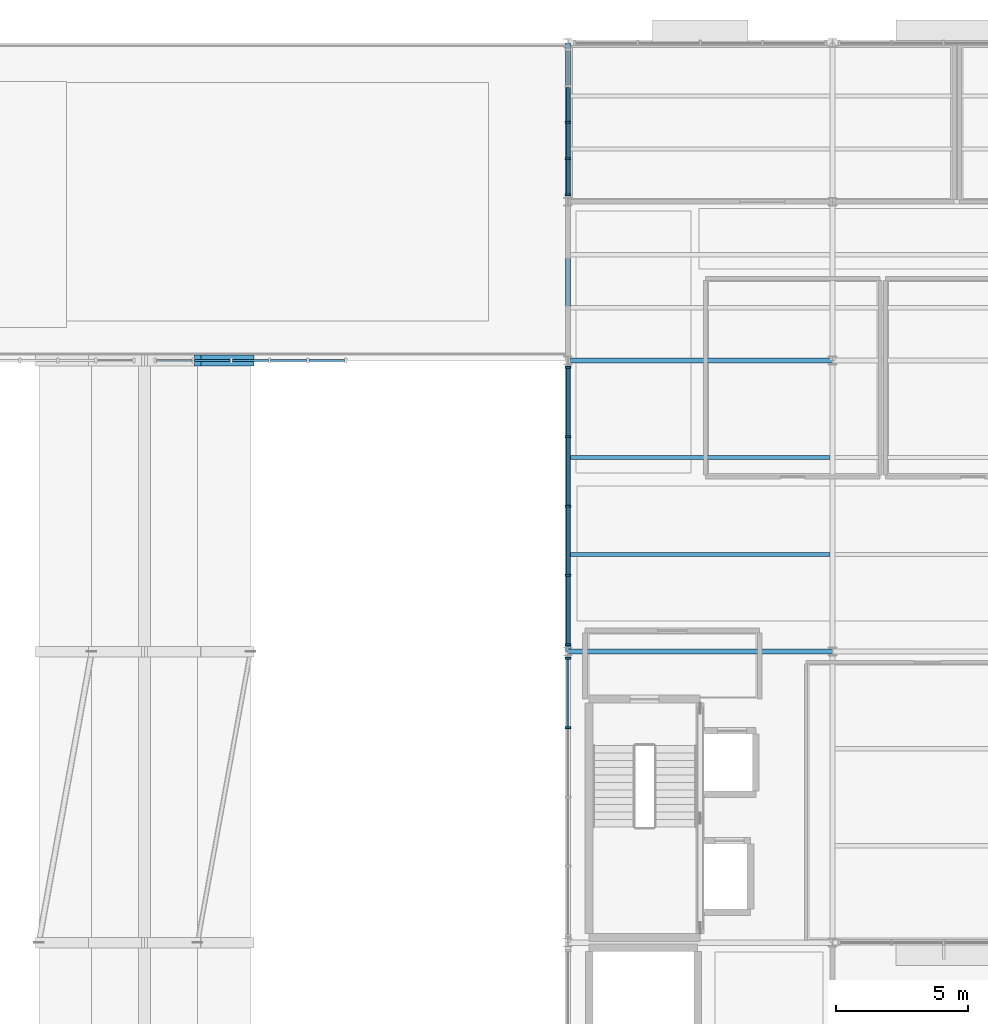
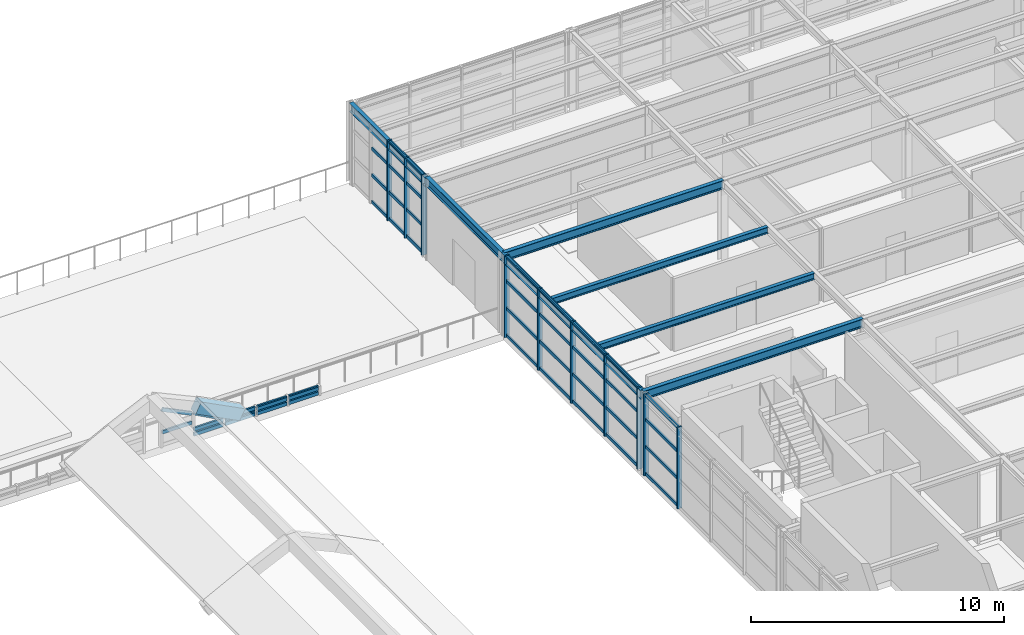
# One storey, part 22 of 49: 55 members, 8 beams, 4 elements without a shape of their own.
"""IFC4 building model written with IfcOpenShell, lengths in metres."""

import ifcopenshell
import ifcopenshell.guid

model = None  # the IFC model being written
_history = None  # IfcOwnerHistory: only IFC2X3 demands one
_inside = {}  # id of a spatial element -> (the spatial element, [elements in it])
_under = {}  # id of a project, library or spatial element -> (it, [spatial elements below it])
_declared = {}  # id of a project -> (the project, [libraries it declares])
_typed = {}  # id of a type object -> (the type object, [elements of that type])
_made_of = {}  # id of a material, layer set ... -> (it, [elements and type objects made of it])


def new_model(schema):
    """Start an empty IFC model of exactly this schema.

    Asked for "IFC4X3", IfcOpenShell would pick the latest addendum, in which some entities
    have other attributes; the version numbers below select the first issue.
    IFC2X3 requires an IfcOwnerHistory on every rooted entity: one is made here for all.
    """
    global model, _history
    if schema == "IFC4X3":
        model = ifcopenshell.file(schema_version=(4, 3, 0, 0))
    else:
        model = ifcopenshell.file(schema=schema)
    _inside.clear()
    _under.clear()
    _declared.clear()
    _typed.clear()
    _made_of.clear()
    _history = None
    if model.schema == "IFC2X3":
        org = make("IfcOrganization", Name="unknown")
        user = make(
            "IfcPersonAndOrganization",
            ThePerson=make("IfcPerson", FamilyName="unknown"),
            TheOrganization=org,
        )
        app = make(
            "IfcApplication",
            ApplicationDeveloper=org,
            Version="unknown",
            ApplicationFullName="unknown",
            ApplicationIdentifier="unknown",
        )
        _history = make(
            "IfcOwnerHistory",
            OwningUser=user,
            OwningApplication=app,
            ChangeAction="ADDED",
            CreationDate=0,
        )
    return model


def make(cls, **values):
    """One entity of the class cls with the attributes given. An attribute that is None is left unset."""
    return model.create_entity(
        cls, **{name: value for name, value in values.items() if value is not None}
    )


def rooted(cls, **values):
    """An entity with a GlobalId (a new one), such as an element, a storey or a relation."""
    return make(cls, GlobalId=ifcopenshell.guid.new(), OwnerHistory=_history, **values)


def si_unit(unit_type, name, prefix=None):
    """IfcSIUnit, for example si_unit("LENGTHUNIT", "METRE", prefix="MILLI")."""
    return make("IfcSIUnit", UnitType=unit_type, Prefix=prefix, Name=name)


def assignment(units):
    """IfcUnitAssignment: the units of a project."""
    return None if units is None else make("IfcUnitAssignment", Units=units)


def point(xyz):
    """IfcCartesianPoint."""
    return None if xyz is None else make("IfcCartesianPoint", Coordinates=xyz)


def direction(xyz):
    """IfcDirection."""
    return None if xyz is None else make("IfcDirection", DirectionRatios=xyz)


def frame(location, z_axis=None, x_axis=None):
    """IfcAxis2Placement3D, a coordinate frame: its origin and axes. An axis left out is left unset."""
    return make(
        "IfcAxis2Placement3D",
        Location=point(location),
        Axis=direction(z_axis),
        RefDirection=direction(x_axis),
    )


def frame_2d(location, x_axis=None):
    """IfcAxis2Placement2D, a coordinate frame in the plane: its origin and x axis."""
    return make(
        "IfcAxis2Placement2D", Location=point(location), RefDirection=direction(x_axis)
    )


def origin():
    """The frame at (0, 0, 0) with its axes left unset."""
    return frame((0.0, 0.0, 0.0))


def origin_2d():
    """The frame at (0, 0) in the plane with its x axis left unset."""
    return frame_2d((0.0, 0.0))


def place(relative_to, where):
    """IfcLocalPlacement: puts the frame where relative to a parent placement (None: the world)."""
    return make(
        "IfcLocalPlacement", PlacementRelTo=relative_to, RelativePlacement=where
    )


def context(
    kind, dimensions, precision=None, world=None, true_north=None, identifier=None
):
    """IfcGeometricRepresentationContext, for example the 3D "Model" context."""
    return make(
        "IfcGeometricRepresentationContext",
        ContextIdentifier=identifier,
        ContextType=kind,
        CoordinateSpaceDimension=dimensions,
        Precision=precision,
        WorldCoordinateSystem=world,
        TrueNorth=true_north,
    )


def subcontext(parent, identifier, kind, view, scale=None):
    """IfcGeometricRepresentationSubContext, for example "Body" below "Model"."""
    return make(
        "IfcGeometricRepresentationSubContext",
        ContextIdentifier=identifier,
        ContextType=kind,
        ParentContext=parent,
        TargetScale=scale,
        TargetView=view,
    )


def project(units=None, contexts=None):
    """IfcProject with its units and contexts."""
    return rooted(
        "IfcProject",
        Name="project",
        RepresentationContexts=contexts,
        UnitsInContext=assignment(units),
    )


def spatial(cls, under=None, at=None, **own):
    """A site, building, storey or space (cls), placed at a placement, below another one or the project."""
    s = rooted(cls, ObjectPlacement=at, **own)
    if under is not None:
        _under.setdefault(under.id(), (under, []))[1].append(s)
    return s


def profile(cls, at=None, kind="AREA", **sizes):
    """A parametric profile (cls). Its sizes go by their IFC names, for example OverallWidth=200.0."""
    return make(cls, ProfileType=kind, Position=at, **sizes)


def rectangle(**sizes):
    """IfcRectangleProfileDef."""
    return profile("IfcRectangleProfileDef", **sizes)


def i_section(**sizes):
    """IfcIShapeProfileDef."""
    return profile("IfcIShapeProfileDef", **sizes)


def extrude(swept, where, along, depth):
    """IfcExtrudedAreaSolid: the profile swept, set in the frame where, extruded along a direction by depth."""
    return make(
        "IfcExtrudedAreaSolid",
        SweptArea=swept,
        Position=where,
        ExtrudedDirection=direction(along),
        Depth=depth,
    )


def shape(context_of_items, identifier, shape_type, items):
    """IfcShapeRepresentation: the items that make up one representation, for example the "Body"."""
    return make(
        "IfcShapeRepresentation",
        ContextOfItems=context_of_items,
        RepresentationIdentifier=identifier,
        RepresentationType=shape_type,
        Items=items,
    )


def material(Name=None, Category=None):
    """IfcMaterial."""
    return make("IfcMaterial", Name=Name, Category=Category)


def layer(
    of_material, thickness, ventilated=None, Name=None, Category=None, Priority=None
):
    """IfcMaterialLayer: one layer of a wall or slab, of a material (None: an air gap)."""
    return make(
        "IfcMaterialLayer",
        Material=of_material,
        LayerThickness=thickness,
        IsVentilated=ventilated,
        Name=Name,
        Category=Category,
        Priority=Priority,
    )


def layer_set(layers, Name=None):
    """IfcMaterialLayerSet."""
    return make("IfcMaterialLayerSet", MaterialLayers=layers, LayerSetName=Name)


def material_profile(
    of_material, cross_section, Name=None, Category=None, Priority=None
):
    """IfcMaterialProfile: a cross section and its material."""
    return make(
        "IfcMaterialProfile",
        Name=Name,
        Material=of_material,
        Profile=cross_section,
        Priority=Priority,
        Category=Category,
    )


def profile_set(profiles, Name=None, composite=None):
    """IfcMaterialProfileSet."""
    return make(
        "IfcMaterialProfileSet",
        Name=Name,
        MaterialProfiles=profiles,
        CompositeProfile=composite,
    )


def made_of(thing, what):
    """Note that an element or type object is made of a material, layer set ...; save() writes the relation."""
    if what is not None:
        _made_of.setdefault(what.id(), (what, []))[1].append(thing)
    return thing


def type_object(cls, material=None, **own):
    """A type object (cls), such as IfcWallType, which elements share."""
    return made_of(rooted(cls, **own), material)


def element(
    cls,
    number,
    at=None,
    inside=None,
    cuts=None,
    type_object=None,
    material=None,
    context=None,
    identifier="Body",
    shape_type=None,
    held_by="IfcProductDefinitionShape",
    body=None,
    shapes=None,
    **own,
):
    """One element of the class cls, such as IfcWall. Its Tag is "e" and its number.

    at: its placement. inside: the storey or other place that contains it. cuts: it is an
    opening in that element (IfcRelVoidsElement). A single representation is given by context,
    identifier, shape_type and body (its items); several are given by shapes. held_by: the class
    of the entity that holds the representations. save() writes the other relations.
    """
    e = rooted(cls, Tag="e%d" % number, ObjectPlacement=at, **own)
    if body is not None:
        shapes = [shape(context, identifier, shape_type, body)]
    if shapes is not None:
        e.Representation = make(held_by, Representations=shapes)
    if inside is not None:
        _inside.setdefault(inside.id(), (inside, []))[1].append(e)
    if cuts is not None:
        rooted(
            "IfcRelVoidsElement", RelatingBuildingElement=cuts, RelatedOpeningElement=e
        )
    if type_object is not None:
        _typed.setdefault(type_object.id(), (type_object, []))[1].append(e)
    return made_of(e, material)


def aggregate(whole, parts):
    """IfcRelAggregates: a whole, such as a stair, and the parts it consists of."""
    return rooted("IfcRelAggregates", RelatingObject=whole, RelatedObjects=parts)


def save(model, path):
    """Write the relations noted so far, then the file.

    IfcRelAggregates (storeys below a building ...), IfcRelContainedInSpatialStructure (elements
    in a storey), IfcRelDefinesByType, IfcRelAssociatesMaterial and IfcRelDeclares: one each for
    every whole, place, type object, material and project.
    """
    for whole, parts in _under.values():
        aggregate(whole, parts)
    for where, things in _inside.values():
        rooted(
            "IfcRelContainedInSpatialStructure",
            RelatedElements=things,
            RelatingStructure=where,
        )
    for kind, things in _typed.values():
        rooted("IfcRelDefinesByType", RelatedObjects=things, RelatingType=kind)
    for what, things in _made_of.values():
        rooted("IfcRelAssociatesMaterial", RelatedObjects=things, RelatingMaterial=what)
    for by, libraries in _declared.values():
        rooted("IfcRelDeclares", RelatingContext=by, RelatedDefinitions=libraries)
    model.write(path)


model = new_model("IFC4")

# Units and contexts
model_context = context("Model", 3, precision=1e-05, world=origin(), true_north=direction((0.0, 1.0)))
body_context = subcontext(model_context, "Body", "Model", "MODEL_VIEW")
ifc_project = project(units=[si_unit("LENGTHUNIT", "METRE"), si_unit("AREAUNIT", "SQUARE_METRE"), si_unit("VOLUMEUNIT", "CUBIC_METRE"), si_unit("PLANEANGLEUNIT", "RADIAN"), si_unit("MASSUNIT", "GRAM", prefix="KILO")], contexts=[model_context])

# Site, building, storey
site_placement = place(None, origin())
site = spatial("IfcSite", under=ifc_project, at=site_placement, CompositionType="ELEMENT")
building_placement = place(site_placement, origin())
building = spatial("IfcBuilding", under=site, at=building_placement, Name="Sitalva Quay Ferry Terminal", CompositionType="ELEMENT")
storey_placement = place(building_placement, frame((0.0, 0.0, 10.199951171875)))
storey = spatial("IfcBuildingStorey", under=building, at=storey_placement, Name="L03", CompositionType="ELEMENT", Elevation=10.199951171875)

# Beams
ifc_material_1 = material(Name="Concrete C40/50", Category="concrete")
ifc_material_profile_1 = material_profile(ifc_material_1, rectangle(XDim=0.39990234375, YDim=0.550048828125, at=origin_2d()), Name="RC400x550")
ifc_profile_set_1 = profile_set([ifc_material_profile_1], Name="Concrete C40/50")
beam_type_1 = type_object("IfcBeamType", Name="Beam_Arch_RC400x550", PredefinedType="BEAM", material=ifc_profile_set_1)
beam_1_placement = place(storey_placement, frame((60.0, 100.0, 1.423095703125), z_axis=(0.88942149916, 0.0, -0.457087953059), x_axis=(0.0, 1.0, 0.0)))
element("IfcBeam", 1, at=beam_1_placement, inside=storey, type_object=beam_type_1, Name="Vault V1 transverse arch rib 9.10", PredefinedType="BEAM", context=body_context, shape_type="SweptSolid", body=[
    extrude(rectangle(XDim=0.39990234375, YDim=0.550048828125, at=origin_2d()), origin(), (0.0, 0.0, 1.0), 2.24853515625),
])
ifc_material_2 = material(Name="Structural Steel S355JR", Category="steel")
ifc_material_profile_2 = material_profile(ifc_material_2, i_section(OverallWidth=0.178955078125, OverallDepth=0.409912109375, WebThickness=0.0087890625, FlangeThickness=0.014404296875, FilletRadius=0.012939453125, at=origin_2d()), Name="W410x67")
ifc_profile_set_2 = profile_set([ifc_material_profile_2], Name="Structural Steel S355JR")
beam_type_2 = type_object("IfcBeamType", Name="Beam_W410x67", PredefinedType="BEAM", material=ifc_profile_set_2)
beam_2_placement = place(storey_placement, frame((74.0, 89.0, 3.715087890625), z_axis=(0.0, 1.0, 0.0), x_axis=(-1.0, 0.0, 0.0)))
element("IfcBeam", 2, at=beam_2_placement, inside=storey, type_object=beam_type_2, Name="L03 Primary Y girder 1226", PredefinedType="BEAM", context=body_context, shape_type="SweptSolid", body=[
    extrude(i_section(OverallWidth=0.178955078125, OverallDepth=0.409912109375, WebThickness=0.0087890625, FlangeThickness=0.014404296875, FilletRadius=0.012939453125, at=origin_2d()), origin(), (0.0, 0.0, 1.0), 11.0),
])
for number, where, z_axis, x_axis, name in (
    (3, (74.0, 100.0, 3.715087890625), (0.0, 1.0, 0.0), (-1.0, 0.0, 0.0), "L03 Primary Y girder 1227"),
    (4, (74.0, 106.0, 3.64501953125), (0.0, 1.0, 0.0), (-1.0, 0.0, 0.0), "L03 Primary Y girder 1281"),
):
    element("IfcBeam", number, at=place(storey_placement, frame(where, z_axis=z_axis, x_axis=x_axis)), inside=storey, type_object=beam_type_2, Name=name, PredefinedType="BEAM", context=body_context, shape_type="SweptSolid", body=[
        extrude(i_section(OverallWidth=0.178955078125, OverallDepth=0.409912109375, WebThickness=0.0087890625, FlangeThickness=0.014404296875, FilletRadius=0.012939453125, at=origin_2d()), origin(), (0.0, 0.0, 1.0), 6.0),
    ])
ifc_material_3 = material(Name="Structural Steel S355JR", Category="steel")
ifc_material_profile_3 = material_profile(ifc_material_3, i_section(OverallWidth=0.180908203125, OverallDepth=0.4169921875, WebThickness=0.010986328125, FlangeThickness=0.018310546875, FilletRadius=0.012939453125, at=origin_2d()), Name="W410x85")
ifc_profile_set_3 = profile_set([ifc_material_profile_3], Name="Structural Steel S355JR")
beam_type_3 = type_object("IfcBeamType", Name="Beam_W410x85", PredefinedType="BEAM", material=ifc_profile_set_3)
for number, where, z_axis, x_axis, name in (
    (5, (74.0, 89.0, 3.711669921875), (1.0, 0.0, 0.0), (0.0, 1.0, 0.0), "L03 Primary X girder 1207"),
    (6, (74.0, 100.0, 3.711669921875), (1.0, 0.0, 0.0), (0.0, 1.0, 0.0), "L03 Primary X girder 1213"),
):
    element("IfcBeam", number, at=place(storey_placement, frame(where, z_axis=z_axis, x_axis=x_axis)), inside=storey, type_object=beam_type_3, Name=name, PredefinedType="BEAM", context=body_context, shape_type="SweptSolid", body=[
        extrude(i_section(OverallWidth=0.180908203125, OverallDepth=0.4169921875, WebThickness=0.010986328125, FlangeThickness=0.018310546875, FilletRadius=0.012939453125, at=origin_2d()), origin(), (0.0, 0.0, 1.0), 10.0),
    ])
ifc_material_4 = material(Name="Structural Steel S355JR", Category="steel")
ifc_material_profile_4 = material_profile(ifc_material_4, i_section(OverallWidth=0.166015625, OverallDepth=0.31298828125, WebThickness=0.006591796875, FlangeThickness=0.01123046875, FilletRadius=0.010986328125, at=origin_2d()), Name="W310x45")
ifc_profile_set_4 = profile_set([ifc_material_profile_4], Name="Structural Steel S355JR")
beam_type_4 = type_object("IfcBeamType", Name="Joist_W310x45", PredefinedType="JOIST", material=ifc_profile_set_4)
for number, where, z_axis, x_axis, name in (
    (7, (74.089599609375, 92.666748046875, 3.763427734375), (1.0, 0.0, 0.0), (0.0, 1.0, 0.0), "L03 Secondary joist 1252"),
    (8, (74.089599609375, 96.333251953125, 3.763427734375), (1.0, 0.0, 0.0), (0.0, 1.0, 0.0), "L03 Secondary joist 1258"),
):
    element("IfcBeam", number, at=place(storey_placement, frame(where, z_axis=z_axis, x_axis=x_axis)), inside=storey, type_object=beam_type_4, Name=name, PredefinedType="JOIST", context=body_context, shape_type="SweptSolid", body=[
        extrude(i_section(OverallWidth=0.166015625, OverallDepth=0.31298828125, WebThickness=0.006591796875, FlangeThickness=0.01123046875, FilletRadius=0.010986328125, at=origin_2d()), origin(), (0.0, 0.0, 1.0), 9.82080078125),
    ])

# Curtain wall, members
ifc_material_5 = material(Name="Anodised Aluminium & Low-E Glazing", Category="aluminium")
ifc_layer_1 = layer(ifc_material_5, 0.159912109375)
ifc_layer_set_1 = layer_set([ifc_layer_1], Name="Anodised Aluminium & Low-E Glazing")
curtain_wall_type_1 = type_object("IfcCurtainWallType", Name="CW_Office_Unitised", PredefinedType="USERDEFINED", material=ifc_layer_set_1)
curtain_wall_1_placement = place(storey_placement, origin())
curtain_wall_1 = element("IfcCurtainWall", 9, at=curtain_wall_1_placement, inside=storey, type_object=curtain_wall_type_1, Name="L03 maritime bridge west glazing (CW-L03-124)", ObjectType="CURTAIN_WALL", PredefinedType="USERDEFINED")
ifc_material_6 = material(Name="Anodised Aluminium 6063-T6", Category="aluminium")
ifc_material_profile_5 = material_profile(ifc_material_6, rectangle(XDim=0.074951171875, YDim=0.219970703125, at=origin_2d()), Name="ALU75x220")
ifc_profile_set_5 = profile_set([ifc_material_profile_5], Name="Anodised Aluminium 6063-T6")
member_type_1 = type_object("IfcMemberType", Name="Mullion_Alu_75x160", PredefinedType="MULLION", material=ifc_profile_set_5)
member_1_placement = place(storey_placement, frame((74.0, 86.1201171875, 0.0), z_axis=(0.0, 0.0, 1.0), x_axis=(0.0, 1.0, 0.0)))
member_1 = element("IfcMember", 10, at=member_1_placement, type_object=member_type_1, Name="CW-L03-124-M3", PredefinedType="MULLION", context=body_context, shape_type="SweptSolid", body=[
    extrude(rectangle(XDim=0.074951171875, YDim=0.219970703125, at=origin_2d()), origin(), (0.0, 0.0, 1.0), 3.920166015625),
])
member_2_placement = place(storey_placement, frame((74.0, 88.739990234375, 0.0), z_axis=(0.0, 0.0, 1.0), x_axis=(0.0, 1.0, 0.0)))
member_2 = element("IfcMember", 11, at=member_2_placement, type_object=member_type_1, Name="CW-L03-124-M4", PredefinedType="MULLION", context=body_context, shape_type="SweptSolid", body=[
    extrude(rectangle(XDim=0.074951171875, YDim=0.219970703125, at=origin_2d()), origin(), (0.0, 0.0, 1.0), 3.920166015625),
])

curtain_wall_2_placement = place(storey_placement, origin())
curtain_wall_2 = element("IfcCurtainWall", 12, at=curtain_wall_2_placement, inside=storey, type_object=curtain_wall_type_1, Name="L03 maritime bridge west glazing (CW-L03-125)", ObjectType="CURTAIN_WALL", PredefinedType="USERDEFINED")
member_3_placement = place(storey_placement, frame((74.0, 89.260009765625, 0.0), z_axis=(0.0, 0.0, 1.0), x_axis=(0.0, 1.0, 0.0)))
member_3 = element("IfcMember", 13, at=member_3_placement, type_object=member_type_1, Name="CW-L03-125-M0", PredefinedType="MULLION", context=body_context, shape_type="SweptSolid", body=[
    extrude(rectangle(XDim=0.074951171875, YDim=0.219970703125, at=origin_2d()), origin(), (0.0, 0.0, 1.0), 3.920166015625),
])
member_4_placement = place(storey_placement, frame((74.0, 91.8798828125, 0.0), z_axis=(0.0, 0.0, 1.0), x_axis=(0.0, 1.0, 0.0)))
member_4 = element("IfcMember", 14, at=member_4_placement, type_object=member_type_1, Name="CW-L03-125-M1", PredefinedType="MULLION", context=body_context, shape_type="SweptSolid", body=[
    extrude(rectangle(XDim=0.074951171875, YDim=0.219970703125, at=origin_2d()), origin(), (0.0, 0.0, 1.0), 3.920166015625),
])
member_5_placement = place(storey_placement, frame((74.0, 94.5, 0.0), z_axis=(0.0, 0.0, 1.0), x_axis=(0.0, 1.0, 0.0)))
member_5 = element("IfcMember", 15, at=member_5_placement, type_object=member_type_1, Name="CW-L03-125-M2", PredefinedType="MULLION", context=body_context, shape_type="SweptSolid", body=[
    extrude(rectangle(XDim=0.074951171875, YDim=0.219970703125, at=origin_2d()), origin(), (0.0, 0.0, 1.0), 3.920166015625),
])
member_6_placement = place(storey_placement, frame((74.0, 97.1201171875, 0.0), z_axis=(0.0, 0.0, 1.0), x_axis=(0.0, 1.0, 0.0)))
member_6 = element("IfcMember", 16, at=member_6_placement, type_object=member_type_1, Name="CW-L03-125-M3", PredefinedType="MULLION", context=body_context, shape_type="SweptSolid", body=[
    extrude(rectangle(XDim=0.074951171875, YDim=0.219970703125, at=origin_2d()), origin(), (0.0, 0.0, 1.0), 3.920166015625),
])
member_7_placement = place(storey_placement, frame((74.0, 99.739990234375, 0.0), z_axis=(0.0, 0.0, 1.0), x_axis=(0.0, 1.0, 0.0)))
member_7 = element("IfcMember", 17, at=member_7_placement, type_object=member_type_1, Name="CW-L03-125-M4", PredefinedType="MULLION", context=body_context, shape_type="SweptSolid", body=[
    extrude(rectangle(XDim=0.074951171875, YDim=0.219970703125, at=origin_2d()), origin(), (0.0, 0.0, 1.0), 3.920166015625),
])

curtain_wall_3_placement = place(storey_placement, origin())
curtain_wall_3 = element("IfcCurtainWall", 18, at=curtain_wall_3_placement, inside=storey, type_object=curtain_wall_type_1, Name="L03 maritime bridge west glazing (CW-L03-126)", ObjectType="CURTAIN_WALL", PredefinedType="USERDEFINED")
member_8_placement = place(storey_placement, frame((74.0, 106.260009765625, 0.0), z_axis=(0.0, 0.0, 1.0), x_axis=(0.0, 1.0, 0.0)))
member_8 = element("IfcMember", 19, at=member_8_placement, type_object=member_type_1, Name="CW-L03-126-M0", PredefinedType="MULLION", context=body_context, shape_type="SweptSolid", body=[
    extrude(rectangle(XDim=0.074951171875, YDim=0.219970703125, at=origin_2d()), origin(), (0.0, 0.0, 1.0), 3.85009765625),
])
member_9_placement = place(storey_placement, frame((74.0, 107.6298828125, 0.0), z_axis=(0.0, 0.0, 1.0), x_axis=(0.0, 1.0, 0.0)))
member_9 = element("IfcMember", 20, at=member_9_placement, type_object=member_type_1, Name="CW-L03-126-M1", PredefinedType="MULLION", context=body_context, shape_type="SweptSolid", body=[
    extrude(rectangle(XDim=0.074951171875, YDim=0.219970703125, at=origin_2d()), origin(), (0.0, 0.0, 1.0), 3.85009765625),
])
member_10_placement = place(storey_placement, frame((74.0, 109.0, 0.0), z_axis=(0.0, 0.0, 1.0), x_axis=(0.0, 1.0, 0.0)))
member_10 = element("IfcMember", 21, at=member_10_placement, type_object=member_type_1, Name="CW-L03-126-M2", PredefinedType="MULLION", context=body_context, shape_type="SweptSolid", body=[
    extrude(rectangle(XDim=0.074951171875, YDim=0.219970703125, at=origin_2d()), origin(), (0.0, 0.0, 1.0), 3.85009765625),
])

# Member
ifc_material_7 = material(Name="Anodised Aluminium 6063-T6", Category="aluminium")
ifc_material_profile_6 = material_profile(ifc_material_7, rectangle(XDim=0.074951171875, YDim=0.14990234375, at=origin_2d()), Name="ALU75x150")
ifc_profile_set_6 = profile_set([ifc_material_profile_6], Name="Anodised Aluminium 6063-T6")
member_type_2 = type_object("IfcMemberType", Name="Transom_Alu_75x140", PredefinedType="MULLION", material=ifc_profile_set_6)
member_11_placement = place(storey_placement, frame((74.0, 86.157470703125, 0.074951171875), z_axis=(0.0, 1.0, 0.0), x_axis=(-1.0, 0.0, 0.0)))
member_11 = element("IfcMember", 22, at=member_11_placement, type_object=member_type_2, Name="CW-L03-124-T3-0", ObjectType="TRANSOM", PredefinedType="USERDEFINED", context=body_context, shape_type="SweptSolid", body=[
    extrude(rectangle(XDim=0.074951171875, YDim=0.14990234375, at=origin_2d()), origin(), (0.0, 0.0, 1.0), 2.544921875),
])

member_12_placement = place(storey_placement, frame((74.0, 86.157470703125, 1.3818359375), z_axis=(0.0, 1.0, 0.0), x_axis=(-1.0, 0.0, 0.0)))
member_12 = element("IfcMember", 23, at=member_12_placement, type_object=member_type_2, Name="CW-L03-124-T3-1", ObjectType="TRANSOM", PredefinedType="USERDEFINED", context=body_context, shape_type="SweptSolid", body=[
    extrude(rectangle(XDim=0.074951171875, YDim=0.14990234375, at=origin_2d()), origin(), (0.0, 0.0, 1.0), 2.544921875),
])

member_13_placement = place(storey_placement, frame((74.0, 86.157470703125, 2.6884765625), z_axis=(0.0, 1.0, 0.0), x_axis=(-1.0, 0.0, 0.0)))
member_13 = element("IfcMember", 24, at=member_13_placement, type_object=member_type_2, Name="CW-L03-124-T3-2", ObjectType="TRANSOM", PredefinedType="USERDEFINED", context=body_context, shape_type="SweptSolid", body=[
    extrude(rectangle(XDim=0.074951171875, YDim=0.14990234375, at=origin_2d()), origin(), (0.0, 0.0, 1.0), 2.544921875),
])

member_14_placement = place(storey_placement, frame((74.0, 86.157470703125, 3.844970703125), z_axis=(0.0, 1.0, 0.0), x_axis=(-1.0, 0.0, 0.0)))
member_14 = element("IfcMember", 25, at=member_14_placement, type_object=member_type_2, Name="CW-L03-124-T3-3", ObjectType="TRANSOM", PredefinedType="USERDEFINED", context=body_context, shape_type="SweptSolid", body=[
    extrude(rectangle(XDim=0.074951171875, YDim=0.14990234375, at=origin_2d()), origin(), (0.0, 0.0, 1.0), 2.544921875),
])

aggregate(curtain_wall_1, [member_1, member_2, member_11, member_12, member_13, member_14])

member_15_placement = place(storey_placement, frame((74.0, 89.297607421875, 0.074951171875), z_axis=(0.0, 1.0, 0.0), x_axis=(-1.0, 0.0, 0.0)))
member_15 = element("IfcMember", 26, at=member_15_placement, type_object=member_type_2, Name="CW-L03-125-T0-0", ObjectType="TRANSOM", PredefinedType="USERDEFINED", context=body_context, shape_type="SweptSolid", body=[
    extrude(rectangle(XDim=0.074951171875, YDim=0.14990234375, at=origin_2d()), origin(), (0.0, 0.0, 1.0), 2.544921875),
])

member_16_placement = place(storey_placement, frame((74.0, 89.297607421875, 1.3818359375), z_axis=(0.0, 1.0, 0.0), x_axis=(-1.0, 0.0, 0.0)))
member_16 = element("IfcMember", 27, at=member_16_placement, type_object=member_type_2, Name="CW-L03-125-T0-1", ObjectType="TRANSOM", PredefinedType="USERDEFINED", context=body_context, shape_type="SweptSolid", body=[
    extrude(rectangle(XDim=0.074951171875, YDim=0.14990234375, at=origin_2d()), origin(), (0.0, 0.0, 1.0), 2.544921875),
])

member_17_placement = place(storey_placement, frame((74.0, 89.297607421875, 2.6884765625), z_axis=(0.0, 1.0, 0.0), x_axis=(-1.0, 0.0, 0.0)))
member_17 = element("IfcMember", 28, at=member_17_placement, type_object=member_type_2, Name="CW-L03-125-T0-2", ObjectType="TRANSOM", PredefinedType="USERDEFINED", context=body_context, shape_type="SweptSolid", body=[
    extrude(rectangle(XDim=0.074951171875, YDim=0.14990234375, at=origin_2d()), origin(), (0.0, 0.0, 1.0), 2.544921875),
])

member_18_placement = place(storey_placement, frame((74.0, 89.297607421875, 3.844970703125), z_axis=(0.0, 1.0, 0.0), x_axis=(-1.0, 0.0, 0.0)))
member_18 = element("IfcMember", 29, at=member_18_placement, type_object=member_type_2, Name="CW-L03-125-T0-3", ObjectType="TRANSOM", PredefinedType="USERDEFINED", context=body_context, shape_type="SweptSolid", body=[
    extrude(rectangle(XDim=0.074951171875, YDim=0.14990234375, at=origin_2d()), origin(), (0.0, 0.0, 1.0), 2.544921875),
])

member_19_placement = place(storey_placement, frame((74.0, 91.91748046875, 0.074951171875), z_axis=(0.0, 1.0, 0.0), x_axis=(-1.0, 0.0, 0.0)))
member_19 = element("IfcMember", 30, at=member_19_placement, type_object=member_type_2, Name="CW-L03-125-T1-0", ObjectType="TRANSOM", PredefinedType="USERDEFINED", context=body_context, shape_type="SweptSolid", body=[
    extrude(rectangle(XDim=0.074951171875, YDim=0.14990234375, at=origin_2d()), origin(), (0.0, 0.0, 1.0), 2.544921875),
])

member_20_placement = place(storey_placement, frame((74.0, 91.91748046875, 1.3818359375), z_axis=(0.0, 1.0, 0.0), x_axis=(-1.0, 0.0, 0.0)))
member_20 = element("IfcMember", 31, at=member_20_placement, type_object=member_type_2, Name="CW-L03-125-T1-1", ObjectType="TRANSOM", PredefinedType="USERDEFINED", context=body_context, shape_type="SweptSolid", body=[
    extrude(rectangle(XDim=0.074951171875, YDim=0.14990234375, at=origin_2d()), origin(), (0.0, 0.0, 1.0), 2.544921875),
])

member_21_placement = place(storey_placement, frame((74.0, 91.91748046875, 2.6884765625), z_axis=(0.0, 1.0, 0.0), x_axis=(-1.0, 0.0, 0.0)))
member_21 = element("IfcMember", 32, at=member_21_placement, type_object=member_type_2, Name="CW-L03-125-T1-2", ObjectType="TRANSOM", PredefinedType="USERDEFINED", context=body_context, shape_type="SweptSolid", body=[
    extrude(rectangle(XDim=0.074951171875, YDim=0.14990234375, at=origin_2d()), origin(), (0.0, 0.0, 1.0), 2.544921875),
])

member_22_placement = place(storey_placement, frame((74.0, 91.91748046875, 3.844970703125), z_axis=(0.0, 1.0, 0.0), x_axis=(-1.0, 0.0, 0.0)))
member_22 = element("IfcMember", 33, at=member_22_placement, type_object=member_type_2, Name="CW-L03-125-T1-3", ObjectType="TRANSOM", PredefinedType="USERDEFINED", context=body_context, shape_type="SweptSolid", body=[
    extrude(rectangle(XDim=0.074951171875, YDim=0.14990234375, at=origin_2d()), origin(), (0.0, 0.0, 1.0), 2.544921875),
])

member_23_placement = place(storey_placement, frame((74.0, 94.53759765625, 0.074951171875), z_axis=(0.0, 1.0, 0.0), x_axis=(-1.0, 0.0, 0.0)))
member_23 = element("IfcMember", 34, at=member_23_placement, type_object=member_type_2, Name="CW-L03-125-T2-0", ObjectType="TRANSOM", PredefinedType="USERDEFINED", context=body_context, shape_type="SweptSolid", body=[
    extrude(rectangle(XDim=0.074951171875, YDim=0.14990234375, at=origin_2d()), origin(), (0.0, 0.0, 1.0), 2.544921875),
])

member_24_placement = place(storey_placement, frame((74.0, 94.53759765625, 1.3818359375), z_axis=(0.0, 1.0, 0.0), x_axis=(-1.0, 0.0, 0.0)))
member_24 = element("IfcMember", 35, at=member_24_placement, type_object=member_type_2, Name="CW-L03-125-T2-1", ObjectType="TRANSOM", PredefinedType="USERDEFINED", context=body_context, shape_type="SweptSolid", body=[
    extrude(rectangle(XDim=0.074951171875, YDim=0.14990234375, at=origin_2d()), origin(), (0.0, 0.0, 1.0), 2.544921875),
])

member_25_placement = place(storey_placement, frame((74.0, 94.53759765625, 2.6884765625), z_axis=(0.0, 1.0, 0.0), x_axis=(-1.0, 0.0, 0.0)))
member_25 = element("IfcMember", 36, at=member_25_placement, type_object=member_type_2, Name="CW-L03-125-T2-2", ObjectType="TRANSOM", PredefinedType="USERDEFINED", context=body_context, shape_type="SweptSolid", body=[
    extrude(rectangle(XDim=0.074951171875, YDim=0.14990234375, at=origin_2d()), origin(), (0.0, 0.0, 1.0), 2.544921875),
])

member_26_placement = place(storey_placement, frame((74.0, 94.53759765625, 3.844970703125), z_axis=(0.0, 1.0, 0.0), x_axis=(-1.0, 0.0, 0.0)))
member_26 = element("IfcMember", 37, at=member_26_placement, type_object=member_type_2, Name="CW-L03-125-T2-3", ObjectType="TRANSOM", PredefinedType="USERDEFINED", context=body_context, shape_type="SweptSolid", body=[
    extrude(rectangle(XDim=0.074951171875, YDim=0.14990234375, at=origin_2d()), origin(), (0.0, 0.0, 1.0), 2.544921875),
])

member_27_placement = place(storey_placement, frame((74.0, 97.157470703125, 0.074951171875), z_axis=(0.0, 1.0, 0.0), x_axis=(-1.0, 0.0, 0.0)))
member_27 = element("IfcMember", 38, at=member_27_placement, type_object=member_type_2, Name="CW-L03-125-T3-0", ObjectType="TRANSOM", PredefinedType="USERDEFINED", context=body_context, shape_type="SweptSolid", body=[
    extrude(rectangle(XDim=0.074951171875, YDim=0.14990234375, at=origin_2d()), origin(), (0.0, 0.0, 1.0), 2.544921875),
])

member_28_placement = place(storey_placement, frame((74.0, 97.157470703125, 1.3818359375), z_axis=(0.0, 1.0, 0.0), x_axis=(-1.0, 0.0, 0.0)))
member_28 = element("IfcMember", 39, at=member_28_placement, type_object=member_type_2, Name="CW-L03-125-T3-1", ObjectType="TRANSOM", PredefinedType="USERDEFINED", context=body_context, shape_type="SweptSolid", body=[
    extrude(rectangle(XDim=0.074951171875, YDim=0.14990234375, at=origin_2d()), origin(), (0.0, 0.0, 1.0), 2.544921875),
])

member_29_placement = place(storey_placement, frame((74.0, 97.157470703125, 2.6884765625), z_axis=(0.0, 1.0, 0.0), x_axis=(-1.0, 0.0, 0.0)))
member_29 = element("IfcMember", 40, at=member_29_placement, type_object=member_type_2, Name="CW-L03-125-T3-2", ObjectType="TRANSOM", PredefinedType="USERDEFINED", context=body_context, shape_type="SweptSolid", body=[
    extrude(rectangle(XDim=0.074951171875, YDim=0.14990234375, at=origin_2d()), origin(), (0.0, 0.0, 1.0), 2.544921875),
])

member_30_placement = place(storey_placement, frame((74.0, 97.157470703125, 3.844970703125), z_axis=(0.0, 1.0, 0.0), x_axis=(-1.0, 0.0, 0.0)))
member_30 = element("IfcMember", 41, at=member_30_placement, type_object=member_type_2, Name="CW-L03-125-T3-3", ObjectType="TRANSOM", PredefinedType="USERDEFINED", context=body_context, shape_type="SweptSolid", body=[
    extrude(rectangle(XDim=0.074951171875, YDim=0.14990234375, at=origin_2d()), origin(), (0.0, 0.0, 1.0), 2.544921875),
])

aggregate(curtain_wall_2, [member_3, member_4, member_5, member_6, member_7, member_15, member_16, member_17, member_18, member_19, member_20, member_21, member_22, member_23, member_24, member_25, member_26, member_27, member_28, member_29, member_30])

member_31_placement = place(storey_placement, frame((74.0, 106.297607421875, 0.074951171875), z_axis=(0.0, 1.0, 0.0), x_axis=(-1.0, 0.0, 0.0)))
member_31 = element("IfcMember", 42, at=member_31_placement, type_object=member_type_2, Name="CW-L03-126-T0-0", ObjectType="TRANSOM", PredefinedType="USERDEFINED", context=body_context, shape_type="SweptSolid", body=[
    extrude(rectangle(XDim=0.074951171875, YDim=0.14990234375, at=origin_2d()), origin(), (0.0, 0.0, 1.0), 1.294921875),
])

member_32_placement = place(storey_placement, frame((74.0, 106.297607421875, 1.3583984375), z_axis=(0.0, 1.0, 0.0), x_axis=(-1.0, 0.0, 0.0)))
member_32 = element("IfcMember", 43, at=member_32_placement, type_object=member_type_2, Name="CW-L03-126-T0-1", ObjectType="TRANSOM", PredefinedType="USERDEFINED", context=body_context, shape_type="SweptSolid", body=[
    extrude(rectangle(XDim=0.074951171875, YDim=0.14990234375, at=origin_2d()), origin(), (0.0, 0.0, 1.0), 1.294921875),
])

member_33_placement = place(storey_placement, frame((74.0, 106.297607421875, 2.6416015625), z_axis=(0.0, 1.0, 0.0), x_axis=(-1.0, 0.0, 0.0)))
member_33 = element("IfcMember", 44, at=member_33_placement, type_object=member_type_2, Name="CW-L03-126-T0-2", ObjectType="TRANSOM", PredefinedType="USERDEFINED", context=body_context, shape_type="SweptSolid", body=[
    extrude(rectangle(XDim=0.074951171875, YDim=0.14990234375, at=origin_2d()), origin(), (0.0, 0.0, 1.0), 1.294921875),
])

member_34_placement = place(storey_placement, frame((74.0, 106.297607421875, 3.775146484375), z_axis=(0.0, 1.0, 0.0), x_axis=(-1.0, 0.0, 0.0)))
member_34 = element("IfcMember", 45, at=member_34_placement, type_object=member_type_2, Name="CW-L03-126-T0-3", ObjectType="TRANSOM", PredefinedType="USERDEFINED", context=body_context, shape_type="SweptSolid", body=[
    extrude(rectangle(XDim=0.074951171875, YDim=0.14990234375, at=origin_2d()), origin(), (0.0, 0.0, 1.0), 1.294921875),
])

member_35_placement = place(storey_placement, frame((74.0, 107.66748046875, 0.074951171875), z_axis=(0.0, 1.0, 0.0), x_axis=(-1.0, 0.0, 0.0)))
member_35 = element("IfcMember", 46, at=member_35_placement, type_object=member_type_2, Name="CW-L03-126-T1-0", ObjectType="TRANSOM", PredefinedType="USERDEFINED", context=body_context, shape_type="SweptSolid", body=[
    extrude(rectangle(XDim=0.074951171875, YDim=0.14990234375, at=origin_2d()), origin(), (0.0, 0.0, 1.0), 1.294921875),
])

member_36_placement = place(storey_placement, frame((74.0, 107.66748046875, 1.3583984375), z_axis=(0.0, 1.0, 0.0), x_axis=(-1.0, 0.0, 0.0)))
member_36 = element("IfcMember", 47, at=member_36_placement, type_object=member_type_2, Name="CW-L03-126-T1-1", ObjectType="TRANSOM", PredefinedType="USERDEFINED", context=body_context, shape_type="SweptSolid", body=[
    extrude(rectangle(XDim=0.074951171875, YDim=0.14990234375, at=origin_2d()), origin(), (0.0, 0.0, 1.0), 1.294921875),
])

member_37_placement = place(storey_placement, frame((74.0, 107.66748046875, 2.6416015625), z_axis=(0.0, 1.0, 0.0), x_axis=(-1.0, 0.0, 0.0)))
member_37 = element("IfcMember", 48, at=member_37_placement, type_object=member_type_2, Name="CW-L03-126-T1-2", ObjectType="TRANSOM", PredefinedType="USERDEFINED", context=body_context, shape_type="SweptSolid", body=[
    extrude(rectangle(XDim=0.074951171875, YDim=0.14990234375, at=origin_2d()), origin(), (0.0, 0.0, 1.0), 1.294921875),
])

member_38_placement = place(storey_placement, frame((74.0, 107.66748046875, 3.775146484375), z_axis=(0.0, 1.0, 0.0), x_axis=(-1.0, 0.0, 0.0)))
member_38 = element("IfcMember", 49, at=member_38_placement, type_object=member_type_2, Name="CW-L03-126-T1-3", ObjectType="TRANSOM", PredefinedType="USERDEFINED", context=body_context, shape_type="SweptSolid", body=[
    extrude(rectangle(XDim=0.074951171875, YDim=0.14990234375, at=origin_2d()), origin(), (0.0, 0.0, 1.0), 1.294921875),
])

member_39_placement = place(storey_placement, frame((74.0, 109.03759765625, 0.074951171875), z_axis=(0.0, 1.0, 0.0), x_axis=(-1.0, 0.0, 0.0)))
member_39 = element("IfcMember", 50, at=member_39_placement, type_object=member_type_2, Name="CW-L03-126-T2-0", ObjectType="TRANSOM", PredefinedType="USERDEFINED", context=body_context, shape_type="SweptSolid", body=[
    extrude(rectangle(XDim=0.074951171875, YDim=0.14990234375, at=origin_2d()), origin(), (0.0, 0.0, 1.0), 1.294921875),
])

member_40_placement = place(storey_placement, frame((74.0, 109.03759765625, 1.3583984375), z_axis=(0.0, 1.0, 0.0), x_axis=(-1.0, 0.0, 0.0)))
member_40 = element("IfcMember", 51, at=member_40_placement, type_object=member_type_2, Name="CW-L03-126-T2-1", ObjectType="TRANSOM", PredefinedType="USERDEFINED", context=body_context, shape_type="SweptSolid", body=[
    extrude(rectangle(XDim=0.074951171875, YDim=0.14990234375, at=origin_2d()), origin(), (0.0, 0.0, 1.0), 1.294921875),
])

member_41_placement = place(storey_placement, frame((74.0, 109.03759765625, 2.6416015625), z_axis=(0.0, 1.0, 0.0), x_axis=(-1.0, 0.0, 0.0)))
member_41 = element("IfcMember", 52, at=member_41_placement, type_object=member_type_2, Name="CW-L03-126-T2-2", ObjectType="TRANSOM", PredefinedType="USERDEFINED", context=body_context, shape_type="SweptSolid", body=[
    extrude(rectangle(XDim=0.074951171875, YDim=0.14990234375, at=origin_2d()), origin(), (0.0, 0.0, 1.0), 1.294921875),
])

aggregate(curtain_wall_3, [member_8, member_9, member_10, member_31, member_32, member_33, member_34, member_35, member_36, member_37, member_38, member_39, member_40, member_41])

# Curtain wall, members
ifc_material_8 = material(Name="Anodised Aluminium & Low-E Glazing", Category="aluminium")
ifc_layer_2 = layer(ifc_material_8, 0.159912109375)
ifc_layer_set_2 = layer_set([ifc_layer_2], Name="Anodised Aluminium & Low-E Glazing")
curtain_wall_type_2 = type_object("IfcCurtainWallType", Name="CW_Gable_Unitised", PredefinedType="USERDEFINED", material=ifc_layer_set_2)
curtain_wall_4_placement = place(storey_placement, origin())
curtain_wall_4 = element("IfcCurtainWall", 53, at=curtain_wall_4_placement, inside=storey, type_object=curtain_wall_type_2, Name="V1 north clerestory pointed gable (CW-L03-011)", ObjectType="CURTAIN_WALL", PredefinedType="USERDEFINED")
ifc_material_9 = material(Name="Anodised Aluminium 6063-T6", Category="aluminium")
ifc_material_profile_7 = material_profile(ifc_material_9, rectangle(XDim=0.080078125, YDim=0.1650390625, at=origin_2d()), Name="ALU80x165")
ifc_profile_set_7 = profile_set([ifc_material_profile_7], Name="Anodised Aluminium 6063-T6")
member_type_3 = type_object("IfcMemberType", Name="Transom_Alu_80x165", PredefinedType="MULLION", material=ifc_profile_set_7)
member_42_placement = place(storey_placement, frame((58.445068359375, 100.0, 0.683349609375), z_axis=(1.0, 0.0, 0.0), x_axis=(0.0, 1.0, 0.0)))
member_42 = element("IfcMember", 54, at=member_42_placement, type_object=member_type_3, Name="CW-L03-011-T0-1", ObjectType="TRANSOM", PredefinedType="USERDEFINED", context=body_context, shape_type="SweptSolid", body=[
    extrude(rectangle(XDim=0.080078125, YDim=0.1650390625, at=origin_2d()), origin(), (0.0, 0.0, 1.0), 1.349853515625),
])
member_43_placement = place(storey_placement, frame((58.445068359375, 100.0, 1.783203125), z_axis=(0.897361556222, 0.0, -0.441296088148), x_axis=(0.0, 1.0, 0.0)))
member_43 = element("IfcMember", 55, at=member_43_placement, type_object=member_type_3, Name="CW-L03-011-T0-2", ObjectType="TRANSOM", PredefinedType="USERDEFINED", context=body_context, shape_type="SweptSolid", body=[
    extrude(rectangle(XDim=0.080078125, YDim=0.1650390625, at=origin_2d()), origin(), (0.0, 0.0, 1.0), 1.504150390625),
])
member_44_placement = place(storey_placement, frame((59.885009765625, 100.0, 0.08251953125), z_axis=(1.0, 0.0, 0.0), x_axis=(0.0, 1.0, 0.0)))
member_44 = element("IfcMember", 56, at=member_44_placement, type_object=member_type_3, Name="CW-L03-011-T1-0", ObjectType="TRANSOM", PredefinedType="USERDEFINED", context=body_context, shape_type="SweptSolid", body=[
    extrude(rectangle(XDim=0.080078125, YDim=0.1650390625, at=origin_2d()), origin(), (0.0, 0.0, 1.0), 1.35009765625),
])
member_45_placement = place(storey_placement, frame((59.885009765625, 100.0, 0.317626953125), z_axis=(1.0, 0.0, 0.0), x_axis=(0.0, 1.0, 0.0)))
member_45 = element("IfcMember", 57, at=member_45_placement, type_object=member_type_3, Name="CW-L03-011-T1-1", ObjectType="TRANSOM", PredefinedType="USERDEFINED", context=body_context, shape_type="SweptSolid", body=[
    extrude(rectangle(XDim=0.080078125, YDim=0.1650390625, at=origin_2d()), origin(), (0.0, 0.0, 1.0), 1.35009765625),
])
member_46_placement = place(storey_placement, frame((59.885009765625, 100.0, 1.119384765625), z_axis=(0.879186524135, 0.0, -0.476477760006), x_axis=(0.0, 1.0, 0.0)))
member_46 = element("IfcMember", 58, at=member_46_placement, type_object=member_type_3, Name="CW-L03-011-T1-2", ObjectType="TRANSOM", PredefinedType="USERDEFINED", context=body_context, shape_type="SweptSolid", body=[
    extrude(rectangle(XDim=0.080078125, YDim=0.1650390625, at=origin_2d()), origin(), (0.0, 0.0, 1.0), 1.53564453125),
])
member_47_placement = place(storey_placement, frame((61.324951171875, 100.0, 0.08251953125), z_axis=(1.0, 0.0, 0.0), x_axis=(0.0, 1.0, 0.0)))
member_47 = element("IfcMember", 59, at=member_47_placement, type_object=member_type_3, Name="CW-L03-011-T2-0", ObjectType="TRANSOM", PredefinedType="USERDEFINED", context=body_context, shape_type="SweptSolid", body=[
    extrude(rectangle(XDim=0.080078125, YDim=0.1650390625, at=origin_2d()), origin(), (0.0, 0.0, 1.0), 1.35009765625),
])
member_48_placement = place(storey_placement, frame((61.324951171875, 100.0, 0.3076171875), z_axis=(1.0, 0.0, 0.0), x_axis=(0.0, 1.0, 0.0)))
member_48 = element("IfcMember", 60, at=member_48_placement, type_object=member_type_3, Name="CW-L03-011-T2-1", ObjectType="TRANSOM", PredefinedType="USERDEFINED", context=body_context, shape_type="SweptSolid", body=[
    extrude(rectangle(XDim=0.080078125, YDim=0.1650390625, at=origin_2d()), origin(), (0.0, 0.0, 1.0), 1.35009765625),
])
member_49_placement = place(storey_placement, frame((61.324951171875, 100.0, 0.3876953125), z_axis=(0.999887383362, 0.0, -0.015007351324), x_axis=(0.0, 1.0, 0.0)))
member_49 = element("IfcMember", 61, at=member_49_placement, type_object=member_type_3, Name="CW-L03-011-T2-2", ObjectType="TRANSOM", PredefinedType="USERDEFINED", context=body_context, shape_type="SweptSolid", body=[
    extrude(rectangle(XDim=0.080078125, YDim=0.1650390625, at=origin_2d()), origin(), (0.0, 0.0, 1.0), 1.350341796875),
])
member_50_placement = place(storey_placement, frame((62.764892578125, 100.0, 0.08251953125), z_axis=(1.0, 0.0, 0.0), x_axis=(0.0, 1.0, 0.0)))
member_50 = element("IfcMember", 62, at=member_50_placement, type_object=member_type_3, Name="CW-L03-011-T3-0", ObjectType="TRANSOM", PredefinedType="USERDEFINED", context=body_context, shape_type="SweptSolid", body=[
    extrude(rectangle(XDim=0.080078125, YDim=0.1650390625, at=origin_2d()), origin(), (0.0, 0.0, 1.0), 1.35009765625),
])
member_51_placement = place(storey_placement, frame((62.764892578125, 100.0, 0.3076171875), z_axis=(1.0, 0.0, 0.0), x_axis=(0.0, 1.0, 0.0)))
member_51 = element("IfcMember", 63, at=member_51_placement, type_object=member_type_3, Name="CW-L03-011-T3-1", ObjectType="TRANSOM", PredefinedType="USERDEFINED", context=body_context, shape_type="SweptSolid", body=[
    extrude(rectangle(XDim=0.080078125, YDim=0.1650390625, at=origin_2d()), origin(), (0.0, 0.0, 1.0), 1.35009765625),
])
member_52_placement = place(storey_placement, frame((62.764892578125, 100.0, 0.367431640625), z_axis=(1.0, 0.0, 0.0), x_axis=(0.0, 1.0, 0.0)))
member_52 = element("IfcMember", 64, at=member_52_placement, type_object=member_type_3, Name="CW-L03-011-T3-2", ObjectType="TRANSOM", PredefinedType="USERDEFINED", context=body_context, shape_type="SweptSolid", body=[
    extrude(rectangle(XDim=0.080078125, YDim=0.1650390625, at=origin_2d()), origin(), (0.0, 0.0, 1.0), 1.35009765625),
])
member_53_placement = place(storey_placement, frame((64.205078125, 100.0, 0.08251953125), z_axis=(1.0, 0.0, 0.0), x_axis=(0.0, 1.0, 0.0)))
member_53 = element("IfcMember", 65, at=member_53_placement, type_object=member_type_3, Name="CW-L03-011-T4-0", ObjectType="TRANSOM", PredefinedType="USERDEFINED", context=body_context, shape_type="SweptSolid", body=[
    extrude(rectangle(XDim=0.080078125, YDim=0.1650390625, at=origin_2d()), origin(), (0.0, 0.0, 1.0), 1.349853515625),
])
member_54_placement = place(storey_placement, frame((64.205078125, 100.0, 0.3076171875), z_axis=(1.0, 0.0, 0.0), x_axis=(0.0, 1.0, 0.0)))
member_54 = element("IfcMember", 66, at=member_54_placement, type_object=member_type_3, Name="CW-L03-011-T4-1", ObjectType="TRANSOM", PredefinedType="USERDEFINED", context=body_context, shape_type="SweptSolid", body=[
    extrude(rectangle(XDim=0.080078125, YDim=0.1650390625, at=origin_2d()), origin(), (0.0, 0.0, 1.0), 1.349853515625),
])
member_55_placement = place(storey_placement, frame((64.205078125, 100.0, 0.367431640625), z_axis=(1.0, 0.0, 0.0), x_axis=(0.0, 1.0, 0.0)))
member_55 = element("IfcMember", 67, at=member_55_placement, type_object=member_type_3, Name="CW-L03-011-T4-2", ObjectType="TRANSOM", PredefinedType="USERDEFINED", context=body_context, shape_type="SweptSolid", body=[
    extrude(rectangle(XDim=0.080078125, YDim=0.1650390625, at=origin_2d()), origin(), (0.0, 0.0, 1.0), 1.349853515625),
])
aggregate(curtain_wall_4, [member_42, member_43, member_44, member_45, member_46, member_47, member_48, member_49, member_50, member_51, member_52, member_53, member_54, member_55])

save(model, "model.ifc")
